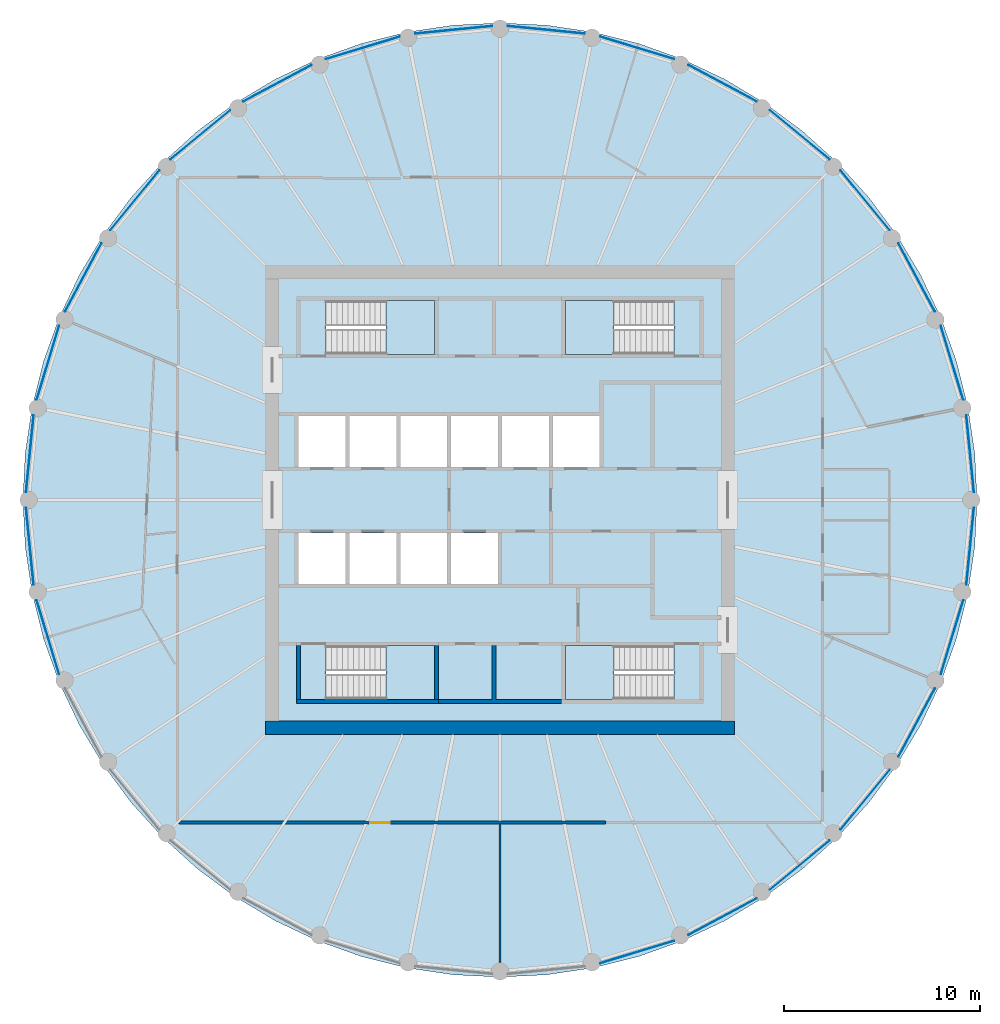
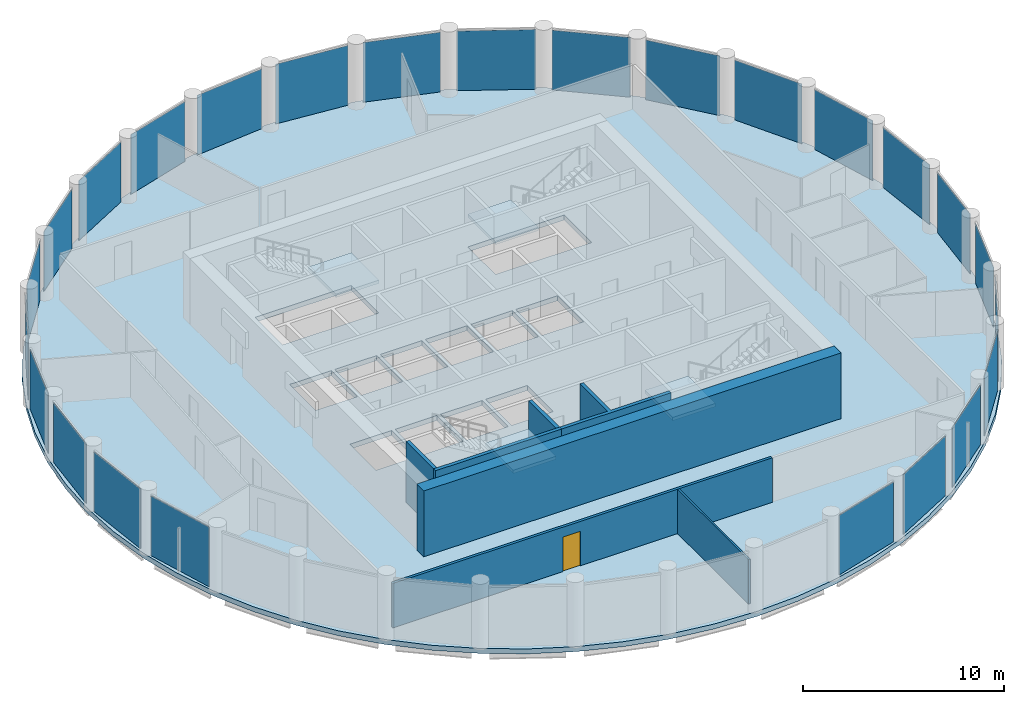
# One storey, part 3 of 7: 25 plates, 7 walls, 5 slabs, 1 door, 1 opening, 29 elements without a shape of their own.
"""IFC4 building model written with IfcOpenShell, lengths in metres."""

from ifc_helpers import new_model, si_unit, direction, frame, frame_2d, origin, origin_2d, place, context, subcontext, project, spatial, polyline, rectangle, outline, extrude, material, layer, layer_set, type_object, element, fill, aggregate, save


model = new_model("IFC4")

# Units and contexts
model_context = context("Model", 3, precision=1e-05, world=origin(), true_north=direction((0.0, 1.0)))
body_context = subcontext(model_context, "Body", "Model", "MODEL_VIEW")
ifc_project = project(units=[si_unit("LENGTHUNIT", "METRE"), si_unit("AREAUNIT", "SQUARE_METRE"), si_unit("VOLUMEUNIT", "CUBIC_METRE"), si_unit("PLANEANGLEUNIT", "RADIAN"), si_unit("MASSUNIT", "GRAM", prefix="KILO")], contexts=[model_context])

# Site, building, storey
site_placement = place(None, origin())
site = spatial("IfcSite", under=ifc_project, at=site_placement, CompositionType="ELEMENT")
building_placement = place(site_placement, origin())
building = spatial("IfcBuilding", under=site, at=building_placement, Name="Corvane Civic Tower", CompositionType="ELEMENT")
storey_placement = place(building_placement, frame((0.0, 0.0, 307.0)))
storey = spatial("IfcBuildingStorey", under=building, at=storey_placement, Name="L73", CompositionType="ELEMENT", Elevation=307.0)

# Slab
ifc_material_1 = material(Name="Concrete C40/50", Category="concrete")
ifc_layer_1 = layer(ifc_material_1, 0.300048828125)
ifc_layer_set_1 = layer_set([ifc_layer_1], Name="Concrete C40/50")
slab_type_1 = type_object("IfcSlabType", Name="FLOOR SLAB 300", PredefinedType="FLOOR", material=ifc_layer_set_1)
slab_1_placement = place(storey_placement, frame((0.0, 0.0, -0.300048828125)))
element("IfcSlab", 1, at=slab_1_placement, inside=storey, type_object=slab_type_1, Name="SLB-L73", PredefinedType="FLOOR", context=body_context, shape_type="SweptSolid", body=[
    extrude(outline(polyline([(0.0, 24.39990234375), (-2.3916015625, 24.282470703125), (-4.76025390625, 23.93115234375), (-7.0830078125, 23.349365234375), (-9.33740234375, 22.542724609375), (-11.502197265625, 21.518798828125), (-13.555908203125, 20.287841796875), (-15.479248046875, 18.861572265625), (-17.25341796875, 17.25341796875), (-18.861572265625, 15.479248046875), (-20.287841796875, 13.555908203125), (-21.518798828125, 11.502197265625), (-22.542724609375, 9.33740234375), (-23.349365234375, 7.0830078125), (-23.93115234375, 4.76025390625), (-24.282470703125, 2.3916015625), (-24.39990234375, 0.0), (-24.282470703125, -2.3916015625), (-23.93115234375, -4.76025390625), (-23.349365234375, -7.0830078125), (-22.542724609375, -9.33740234375), (-21.518798828125, -11.502197265625), (-20.287841796875, -13.555908203125), (-18.861572265625, -15.479248046875), (-17.25341796875, -17.25341796875), (-15.479248046875, -18.861572265625), (-13.555908203125, -20.287841796875), (-11.502197265625, -21.518798828125), (-9.33740234375, -22.542724609375), (-7.0830078125, -23.349365234375), (-4.76025390625, -23.93115234375), (-2.3916015625, -24.282470703125), (0.0, -24.39990234375), (2.3916015625, -24.282470703125), (4.76025390625, -23.93115234375), (7.0830078125, -23.349365234375), (9.33740234375, -22.542724609375), (11.502197265625, -21.518798828125), (13.555908203125, -20.287841796875), (15.479248046875, -18.861572265625), (17.25341796875, -17.25341796875), (18.861572265625, -15.479248046875), (20.287841796875, -13.555908203125), (21.518798828125, -11.502197265625), (22.542724609375, -9.33740234375), (23.349365234375, -7.0830078125), (23.93115234375, -4.76025390625), (24.282470703125, -2.3916015625), (24.39990234375, 0.0), (24.282470703125, 2.3916015625), (23.93115234375, 4.76025390625), (23.349365234375, 7.0830078125), (22.542724609375, 9.33740234375), (21.518798828125, 11.502197265625), (20.287841796875, 13.555908203125), (18.861572265625, 15.479248046875), (17.25341796875, 17.25341796875), (15.479248046875, 18.861572265625), (13.555908203125, 20.287841796875), (11.502197265625, 21.518798828125), (9.33740234375, 22.542724609375), (7.0830078125, 23.349365234375), (4.76025390625, 23.93115234375), (2.3916015625, 24.282470703125), (0.0, 24.39990234375)]), holes=[polyline([(-7.89990234375, 1.699951171875), (-10.300048828125, 1.699951171875), (-10.300048828125, 4.300048828125), (-7.89990234375, 4.300048828125), (-7.89990234375, 1.699951171875)]), polyline([(-5.300048828125, 1.699951171875), (-7.699951171875, 1.699951171875), (-7.699951171875, 4.300048828125), (-5.300048828125, 4.300048828125), (-5.300048828125, 1.699951171875)]), polyline([(-2.699951171875, 4.300048828125), (-2.699951171875, 1.699951171875), (-5.10009765625, 1.699951171875), (-5.10009765625, 4.300048828125), (-2.699951171875, 4.300048828125)]), polyline([(-0.10009765625, 4.300048828125), (-0.10009765625, 1.699951171875), (-2.5, 1.699951171875), (-2.5, 4.300048828125), (-0.10009765625, 4.300048828125)]), polyline([(2.5, 4.300048828125), (2.5, 1.699951171875), (0.10009765625, 1.699951171875), (0.10009765625, 4.300048828125), (2.5, 4.300048828125)]), polyline([(5.10009765625, 4.300048828125), (5.10009765625, 1.699951171875), (2.699951171875, 1.699951171875), (2.699951171875, 4.300048828125), (5.10009765625, 4.300048828125)]), polyline([(-10.300048828125, -4.300048828125), (-10.300048828125, -1.699951171875), (-7.89990234375, -1.699951171875), (-7.89990234375, -4.300048828125), (-10.300048828125, -4.300048828125)]), polyline([(-7.699951171875, -4.300048828125), (-7.699951171875, -1.699951171875), (-5.300048828125, -1.699951171875), (-5.300048828125, -4.300048828125), (-7.699951171875, -4.300048828125)]), polyline([(-2.699951171875, -1.699951171875), (-2.699951171875, -4.300048828125), (-5.10009765625, -4.300048828125), (-5.10009765625, -1.699951171875), (-2.699951171875, -1.699951171875)]), polyline([(-2.5, -4.300048828125), (-2.5, -1.699951171875), (-0.10009765625, -1.699951171875), (-0.10009765625, -4.300048828125), (-2.5, -4.300048828125)]), polyline([(8.889892578125, 10.199951171875), (8.889892578125, 7.449951171875), (3.35009765625, 7.449951171875), (3.35009765625, 10.199951171875), (8.889892578125, 10.199951171875)]), polyline([(-8.889892578125, 7.449951171875), (-8.889892578125, 10.199951171875), (-3.35009765625, 10.199951171875), (-3.35009765625, 7.449951171875), (-8.889892578125, 7.449951171875)]), polyline([(8.889892578125, -7.449951171875), (8.889892578125, -10.199951171875), (3.35009765625, -10.199951171875), (3.35009765625, -7.449951171875), (8.889892578125, -7.449951171875)]), polyline([(-8.889892578125, -10.199951171875), (-8.889892578125, -7.449951171875), (-3.35009765625, -7.449951171875), (-3.35009765625, -10.199951171875), (-8.889892578125, -10.199951171875)])]), origin(), (0.0, 0.0, 1.0), 0.300048828125),
])

# Stair, slab
ifc_material_2 = material(Name="Concrete C40/50", Category="concrete")
stair_type = type_object("IfcStairType", Name="ST-STAIR-HALFTURN", PredefinedType="HALF_TURN_STAIR", material=ifc_material_2)
stair_1_placement = place(storey_placement, origin())
stair_1 = element("IfcStair", 2, at=stair_1_placement, inside=storey, type_object=stair_type, Name="L73 Exit stair ST1", PredefinedType="HALF_TURN_STAIR")
ifc_material_3 = material(Name="Concrete C40/50", Category="concrete")
ifc_layer_2 = layer(ifc_material_3, 0.199951171875)
ifc_layer_set_2 = layer_set([ifc_layer_2], Name="Concrete C40/50")
slab_type_2 = type_object("IfcSlabType", Name="ST-LANDING-RC", PredefinedType="LANDING", material=ifc_layer_set_2)
slab_2_placement = place(storey_placement, frame((0.0, 0.0, 1.800048828125)))
slab_2 = element("IfcSlab", 3, at=slab_2_placement, type_object=slab_type_2, Name="ST1 landing 1", PredefinedType="LANDING", context=body_context, shape_type="SweptSolid", body=[
    extrude(outline(polyline([(5.820068359375, 10.199951171875), (3.35009765625, 10.199951171875), (3.35009765625, 7.449951171875), (5.820068359375, 7.449951171875), (5.820068359375, 10.199951171875)])), origin(), (0.0, 0.0, 1.0), 0.199951171875),
])
aggregate(stair_1, [slab_2])

stair_2_placement = place(storey_placement, origin())
stair_2 = element("IfcStair", 4, at=stair_2_placement, inside=storey, type_object=stair_type, Name="L73 Exit stair ST2", PredefinedType="HALF_TURN_STAIR")
slab_3_placement = place(storey_placement, frame((0.0, 0.0, 1.800048828125)))
slab_3 = element("IfcSlab", 5, at=slab_3_placement, type_object=slab_type_2, Name="ST2 landing 1", PredefinedType="LANDING", context=body_context, shape_type="SweptSolid", body=[
    extrude(outline(polyline([(5.820068359375, -7.449951171875), (3.35009765625, -7.449951171875), (3.35009765625, -10.199951171875), (5.820068359375, -10.199951171875), (5.820068359375, -7.449951171875)])), origin(), (0.0, 0.0, 1.0), 0.199951171875),
])
aggregate(stair_2, [slab_3])

stair_3_placement = place(storey_placement, origin())
stair_3 = element("IfcStair", 6, at=stair_3_placement, inside=storey, type_object=stair_type, Name="L73 Exit stair ST3", PredefinedType="HALF_TURN_STAIR")
slab_4_placement = place(storey_placement, frame((0.0, 0.0, 1.800048828125)))
slab_4 = element("IfcSlab", 7, at=slab_4_placement, type_object=slab_type_2, Name="ST3 landing 1", PredefinedType="LANDING", context=body_context, shape_type="SweptSolid", body=[
    extrude(outline(polyline([(-5.820068359375, -10.199951171875), (-3.35009765625, -10.199951171875), (-3.35009765625, -7.449951171875), (-5.820068359375, -7.449951171875), (-5.820068359375, -10.199951171875)])), origin(), (0.0, 0.0, 1.0), 0.199951171875),
])
aggregate(stair_3, [slab_4])

stair_4_placement = place(storey_placement, origin())
stair_4 = element("IfcStair", 8, at=stair_4_placement, inside=storey, type_object=stair_type, Name="L73 Exit stair ST4", PredefinedType="HALF_TURN_STAIR")
slab_5_placement = place(storey_placement, frame((0.0, 0.0, 1.800048828125)))
slab_5 = element("IfcSlab", 9, at=slab_5_placement, type_object=slab_type_2, Name="ST4 landing 1", PredefinedType="LANDING", context=body_context, shape_type="SweptSolid", body=[
    extrude(outline(polyline([(-5.820068359375, 7.449951171875), (-3.35009765625, 7.449951171875), (-3.35009765625, 10.199951171875), (-5.820068359375, 10.199951171875), (-5.820068359375, 7.449951171875)])), origin(), (0.0, 0.0, 1.0), 0.199951171875),
])
aggregate(stair_4, [slab_5])

# Curtain wall, plate
ifc_material_4 = material(Name="Anodised aluminium bronze", Category="aluminium")
curtain_wall_type = type_object("IfcCurtainWallType", Name="TOWER CW-T3 STICK CURTAIN WALL", PredefinedType="NOTDEFINED", material=ifc_material_4)
curtain_wall_1_placement = place(storey_placement, origin())
curtain_wall_1 = element("IfcCurtainWall", 10, at=curtain_wall_1_placement, inside=storey, type_object=curtain_wall_type, Name="Curtain wall CW-T3 L73 bay 01", PredefinedType="NOTDEFINED")
ifc_material_5 = material(Name="Tinted glass", Category="glass")
ifc_layer_3 = layer(ifc_material_5, 0.028076171875)
ifc_layer_set_3 = layer_set([ifc_layer_3], Name="Tinted glass")
plate_type = type_object("IfcPlateType", Name="TOWER CW-T3 PANEL IGU28", PredefinedType="CURTAIN_PANEL", material=ifc_layer_set_3)
plate_1_placement = place(storey_placement, frame((2.368408203125, 24.046875, 0.0), z_axis=(0.0, 0.0, 1.0), x_axis=(0.99518437747, -0.098020685775, 0.0)))
plate_1 = element("IfcPlate", 11, at=plate_1_placement, type_object=plate_type, Name="Glass panel CW-T3 L73 01.1", PredefinedType="CURTAIN_PANEL", context=body_context, shape_type="SweptSolid", body=[
    extrude(rectangle(XDim=3.958740234375, YDim=0.028076171875, at=origin_2d()), origin(), (0.0, 0.0, 1.0), 3.6298828125),
])
aggregate(curtain_wall_1, [plate_1])

curtain_wall_2_placement = place(storey_placement, origin())
curtain_wall_2 = element("IfcCurtainWall", 12, at=curtain_wall_2_placement, inside=storey, type_object=curtain_wall_type, Name="Curtain wall CW-T3 L73 bay 02", PredefinedType="NOTDEFINED")
plate_2_placement = place(storey_placement, frame((7.01416015625, 23.12255859375, 0.0), z_axis=(0.0, 0.0, 1.0), x_axis=(0.956943694519, -0.290273604586, 0.0)))
plate_2 = element("IfcPlate", 13, at=plate_2_placement, type_object=plate_type, Name="Glass panel CW-T3 L73 02.1", PredefinedType="CURTAIN_PANEL", context=body_context, shape_type="SweptSolid", body=[
    extrude(rectangle(XDim=3.958984375, YDim=0.028076171875, at=origin_2d()), origin(), (0.0, 0.0, 1.0), 3.6298828125),
])
aggregate(curtain_wall_2, [plate_2])

curtain_wall_3_placement = place(storey_placement, origin())
curtain_wall_3 = element("IfcCurtainWall", 14, at=curtain_wall_3_placement, inside=storey, type_object=curtain_wall_type, Name="Curtain wall CW-T3 L73 bay 03", PredefinedType="NOTDEFINED")
plate_3_placement = place(storey_placement, frame((11.390380859375, 21.31005859375, 0.0), z_axis=(0.0, 0.0, 1.0), x_axis=(0.881908138655, -0.471421292448, 0.0)))
plate_3 = element("IfcPlate", 15, at=plate_3_placement, type_object=plate_type, Name="Glass panel CW-T3 L73 03.1", PredefinedType="CURTAIN_PANEL", context=body_context, shape_type="SweptSolid", body=[
    extrude(rectangle(XDim=3.958740234375, YDim=0.028076171875, at=origin_2d()), origin(), (0.0, 0.0, 1.0), 3.6298828125),
])
aggregate(curtain_wall_3, [plate_3])

curtain_wall_4_placement = place(storey_placement, origin())
curtain_wall_4 = element("IfcCurtainWall", 16, at=curtain_wall_4_placement, inside=storey, type_object=curtain_wall_type, Name="Curtain wall CW-T3 L73 bay 04", PredefinedType="NOTDEFINED")
plate_4_placement = place(storey_placement, frame((15.328857421875, 18.67822265625, 0.0), z_axis=(0.0, 0.0, 1.0), x_axis=(0.773001130565, -0.634404643855, 0.0)))
plate_4 = element("IfcPlate", 17, at=plate_4_placement, type_object=plate_type, Name="Glass panel CW-T3 L73 04.1", PredefinedType="CURTAIN_PANEL", context=body_context, shape_type="SweptSolid", body=[
    extrude(rectangle(XDim=3.958740234375, YDim=0.028076171875, at=origin_2d()), origin(), (0.0, 0.0, 1.0), 3.6298828125),
])
aggregate(curtain_wall_4, [plate_4])

curtain_wall_5_placement = place(storey_placement, origin())
curtain_wall_5 = element("IfcCurtainWall", 18, at=curtain_wall_5_placement, inside=storey, type_object=curtain_wall_type, Name="Curtain wall CW-T3 L73 bay 05", PredefinedType="NOTDEFINED")
plate_5_placement = place(storey_placement, frame((18.67822265625, 15.328857421875, 0.0), z_axis=(0.0, 0.0, 1.0), x_axis=(0.634404643855, -0.773001130565, 0.0)))
plate_5 = element("IfcPlate", 19, at=plate_5_placement, type_object=plate_type, Name="Glass panel CW-T3 L73 05.1", PredefinedType="CURTAIN_PANEL", context=body_context, shape_type="SweptSolid", body=[
    extrude(rectangle(XDim=3.958740234375, YDim=0.028076171875, at=origin_2d()), origin(), (0.0, 0.0, 1.0), 3.6298828125),
])
aggregate(curtain_wall_5, [plate_5])

curtain_wall_6_placement = place(storey_placement, origin())
curtain_wall_6 = element("IfcCurtainWall", 20, at=curtain_wall_6_placement, inside=storey, type_object=curtain_wall_type, Name="Curtain wall CW-T3 L73 bay 06", PredefinedType="NOTDEFINED")
plate_6_placement = place(storey_placement, frame((21.31005859375, 11.390380859375, 0.0), z_axis=(0.0, 0.0, 1.0), x_axis=(0.471421292448, -0.881908138655, 0.0)))
plate_6 = element("IfcPlate", 21, at=plate_6_placement, type_object=plate_type, Name="Glass panel CW-T3 L73 06.1", PredefinedType="CURTAIN_PANEL", context=body_context, shape_type="SweptSolid", body=[
    extrude(rectangle(XDim=3.958740234375, YDim=0.028076171875, at=origin_2d()), origin(), (0.0, 0.0, 1.0), 3.6298828125),
])
aggregate(curtain_wall_6, [plate_6])

curtain_wall_7_placement = place(storey_placement, origin())
curtain_wall_7 = element("IfcCurtainWall", 22, at=curtain_wall_7_placement, inside=storey, type_object=curtain_wall_type, Name="Curtain wall CW-T3 L73 bay 07", PredefinedType="NOTDEFINED")
plate_7_placement = place(storey_placement, frame((23.12255859375, 7.01416015625, 0.0), z_axis=(0.0, 0.0, 1.0), x_axis=(0.290273604586, -0.956943694519, 0.0)))
plate_7 = element("IfcPlate", 23, at=plate_7_placement, type_object=plate_type, Name="Glass panel CW-T3 L73 07.1", PredefinedType="CURTAIN_PANEL", context=body_context, shape_type="SweptSolid", body=[
    extrude(rectangle(XDim=3.958984375, YDim=0.028076171875, at=origin_2d()), origin(), (0.0, 0.0, 1.0), 3.6298828125),
])
aggregate(curtain_wall_7, [plate_7])

curtain_wall_8_placement = place(storey_placement, origin())
curtain_wall_8 = element("IfcCurtainWall", 24, at=curtain_wall_8_placement, inside=storey, type_object=curtain_wall_type, Name="Curtain wall CW-T3 L73 bay 08", PredefinedType="NOTDEFINED")
plate_8_placement = place(storey_placement, frame((24.046875, 2.368408203125, 0.0), z_axis=(0.0, 0.0, 1.0), x_axis=(0.098020685775, -0.99518437747, 0.0)))
plate_8 = element("IfcPlate", 25, at=plate_8_placement, type_object=plate_type, Name="Glass panel CW-T3 L73 08.1", PredefinedType="CURTAIN_PANEL", context=body_context, shape_type="SweptSolid", body=[
    extrude(rectangle(XDim=3.958740234375, YDim=0.028076171875, at=origin_2d()), origin(), (0.0, 0.0, 1.0), 3.6298828125),
])
aggregate(curtain_wall_8, [plate_8])

curtain_wall_9_placement = place(storey_placement, origin())
curtain_wall_9 = element("IfcCurtainWall", 26, at=curtain_wall_9_placement, inside=storey, type_object=curtain_wall_type, Name="Curtain wall CW-T3 L73 bay 09", PredefinedType="NOTDEFINED")
plate_9_placement = place(storey_placement, frame((24.046875, -2.368408203125, 0.0), z_axis=(0.0, 0.0, 1.0), x_axis=(-0.098020685775, -0.99518437747, 0.0)))
plate_9 = element("IfcPlate", 27, at=plate_9_placement, type_object=plate_type, Name="Glass panel CW-T3 L73 09.1", PredefinedType="CURTAIN_PANEL", context=body_context, shape_type="SweptSolid", body=[
    extrude(rectangle(XDim=3.958740234375, YDim=0.028076171875, at=origin_2d()), origin(), (0.0, 0.0, 1.0), 3.6298828125),
])
aggregate(curtain_wall_9, [plate_9])

curtain_wall_10_placement = place(storey_placement, origin())
curtain_wall_10 = element("IfcCurtainWall", 28, at=curtain_wall_10_placement, inside=storey, type_object=curtain_wall_type, Name="Curtain wall CW-T3 L73 bay 10", PredefinedType="NOTDEFINED")
plate_10_placement = place(storey_placement, frame((23.12255859375, -7.01416015625, 0.0), z_axis=(0.0, 0.0, 1.0), x_axis=(-0.290273604586, -0.956943694519, 0.0)))
plate_10 = element("IfcPlate", 29, at=plate_10_placement, type_object=plate_type, Name="Glass panel CW-T3 L73 10.1", PredefinedType="CURTAIN_PANEL", context=body_context, shape_type="SweptSolid", body=[
    extrude(rectangle(XDim=3.958984375, YDim=0.028076171875, at=origin_2d()), origin(), (0.0, 0.0, 1.0), 3.6298828125),
])
aggregate(curtain_wall_10, [plate_10])

curtain_wall_11_placement = place(storey_placement, origin())
curtain_wall_11 = element("IfcCurtainWall", 30, at=curtain_wall_11_placement, inside=storey, type_object=curtain_wall_type, Name="Curtain wall CW-T3 L73 bay 11", PredefinedType="NOTDEFINED")
plate_11_placement = place(storey_placement, frame((21.31005859375, -11.390380859375, 0.0), z_axis=(0.0, 0.0, 1.0), x_axis=(-0.471421292448, -0.881908138655, 0.0)))
plate_11 = element("IfcPlate", 31, at=plate_11_placement, type_object=plate_type, Name="Glass panel CW-T3 L73 11.1", PredefinedType="CURTAIN_PANEL", context=body_context, shape_type="SweptSolid", body=[
    extrude(rectangle(XDim=3.958740234375, YDim=0.028076171875, at=origin_2d()), origin(), (0.0, 0.0, 1.0), 3.6298828125),
])
aggregate(curtain_wall_11, [plate_11])

curtain_wall_12_placement = place(storey_placement, origin())
curtain_wall_12 = element("IfcCurtainWall", 32, at=curtain_wall_12_placement, inside=storey, type_object=curtain_wall_type, Name="Curtain wall CW-T3 L73 bay 12", PredefinedType="NOTDEFINED")
plate_12_placement = place(storey_placement, frame((18.67822265625, -15.328857421875, 0.0), z_axis=(0.0, 0.0, 1.0), x_axis=(-0.634404643855, -0.773001130565, 0.0)))
plate_12 = element("IfcPlate", 33, at=plate_12_placement, type_object=plate_type, Name="Glass panel CW-T3 L73 12.1", PredefinedType="CURTAIN_PANEL", context=body_context, shape_type="SweptSolid", body=[
    extrude(rectangle(XDim=3.958740234375, YDim=0.028076171875, at=origin_2d()), origin(), (0.0, 0.0, 1.0), 3.6298828125),
])
aggregate(curtain_wall_12, [plate_12])

curtain_wall_13_placement = place(storey_placement, origin())
curtain_wall_13 = element("IfcCurtainWall", 34, at=curtain_wall_13_placement, inside=storey, type_object=curtain_wall_type, Name="Curtain wall CW-T3 L73 bay 13", PredefinedType="NOTDEFINED")
plate_13_placement = place(storey_placement, frame((15.328857421875, -18.67822265625, 0.0), z_axis=(0.0, 0.0, 1.0), x_axis=(-0.773001130565, -0.634404643855, 0.0)))
plate_13 = element("IfcPlate", 35, at=plate_13_placement, type_object=plate_type, Name="Glass panel CW-T3 L73 13.1", PredefinedType="CURTAIN_PANEL", context=body_context, shape_type="SweptSolid", body=[
    extrude(rectangle(XDim=3.958740234375, YDim=0.028076171875, at=origin_2d()), origin(), (0.0, 0.0, 1.0), 3.6298828125),
])
aggregate(curtain_wall_13, [plate_13])

curtain_wall_14_placement = place(storey_placement, origin())
curtain_wall_14 = element("IfcCurtainWall", 36, at=curtain_wall_14_placement, inside=storey, type_object=curtain_wall_type, Name="Curtain wall CW-T3 L73 bay 14", PredefinedType="NOTDEFINED")
plate_14_placement = place(storey_placement, frame((11.390380859375, -21.31005859375, 0.0), z_axis=(0.0, 0.0, 1.0), x_axis=(-0.881908138655, -0.471421292448, 0.0)))
plate_14 = element("IfcPlate", 37, at=plate_14_placement, type_object=plate_type, Name="Glass panel CW-T3 L73 14.1", PredefinedType="CURTAIN_PANEL", context=body_context, shape_type="SweptSolid", body=[
    extrude(rectangle(XDim=3.958740234375, YDim=0.028076171875, at=origin_2d()), origin(), (0.0, 0.0, 1.0), 3.6298828125),
])
aggregate(curtain_wall_14, [plate_14])

curtain_wall_15_placement = place(storey_placement, origin())
curtain_wall_15 = element("IfcCurtainWall", 38, at=curtain_wall_15_placement, inside=storey, type_object=curtain_wall_type, Name="Curtain wall CW-T3 L73 bay 15", PredefinedType="NOTDEFINED")
plate_15_placement = place(storey_placement, frame((7.01416015625, -23.12255859375, 0.0), z_axis=(0.0, 0.0, 1.0), x_axis=(-0.956943694519, -0.290273604586, 0.0)))
plate_15 = element("IfcPlate", 39, at=plate_15_placement, type_object=plate_type, Name="Glass panel CW-T3 L73 15.1", PredefinedType="CURTAIN_PANEL", context=body_context, shape_type="SweptSolid", body=[
    extrude(rectangle(XDim=3.958984375, YDim=0.028076171875, at=origin_2d()), origin(), (0.0, 0.0, 1.0), 3.6298828125),
])
aggregate(curtain_wall_15, [plate_15])

curtain_wall_16_placement = place(storey_placement, origin())
curtain_wall_16 = element("IfcCurtainWall", 40, at=curtain_wall_16_placement, inside=storey, type_object=curtain_wall_type, Name="Curtain wall CW-T3 L73 bay 23", PredefinedType="NOTDEFINED")
plate_16_placement = place(storey_placement, frame((-23.12255859375, -7.01416015625, 0.0), z_axis=(0.0, 0.0, 1.0), x_axis=(-0.290273604586, 0.956943694519, 0.0)))
plate_16 = element("IfcPlate", 41, at=plate_16_placement, type_object=plate_type, Name="Glass panel CW-T3 L73 23.1", PredefinedType="CURTAIN_PANEL", context=body_context, shape_type="SweptSolid", body=[
    extrude(rectangle(XDim=3.958984375, YDim=0.028076171875, at=origin_2d()), origin(), (0.0, 0.0, 1.0), 3.6298828125),
])
aggregate(curtain_wall_16, [plate_16])

curtain_wall_17_placement = place(storey_placement, origin())
curtain_wall_17 = element("IfcCurtainWall", 42, at=curtain_wall_17_placement, inside=storey, type_object=curtain_wall_type, Name="Curtain wall CW-T3 L73 bay 24", PredefinedType="NOTDEFINED")
plate_17_placement = place(storey_placement, frame((-24.046875, -2.368408203125, 0.0), z_axis=(0.0, 0.0, 1.0), x_axis=(-0.098020685775, 0.99518437747, 0.0)))
plate_17 = element("IfcPlate", 43, at=plate_17_placement, type_object=plate_type, Name="Glass panel CW-T3 L73 24.1", PredefinedType="CURTAIN_PANEL", context=body_context, shape_type="SweptSolid", body=[
    extrude(rectangle(XDim=3.958740234375, YDim=0.028076171875, at=origin_2d()), origin(), (0.0, 0.0, 1.0), 3.6298828125),
])
aggregate(curtain_wall_17, [plate_17])

curtain_wall_18_placement = place(storey_placement, origin())
curtain_wall_18 = element("IfcCurtainWall", 44, at=curtain_wall_18_placement, inside=storey, type_object=curtain_wall_type, Name="Curtain wall CW-T3 L73 bay 25", PredefinedType="NOTDEFINED")
plate_18_placement = place(storey_placement, frame((-24.046875, 2.368408203125, 0.0), z_axis=(0.0, 0.0, 1.0), x_axis=(0.098020685775, 0.99518437747, 0.0)))
plate_18 = element("IfcPlate", 45, at=plate_18_placement, type_object=plate_type, Name="Glass panel CW-T3 L73 25.1", PredefinedType="CURTAIN_PANEL", context=body_context, shape_type="SweptSolid", body=[
    extrude(rectangle(XDim=3.958740234375, YDim=0.028076171875, at=origin_2d()), origin(), (0.0, 0.0, 1.0), 3.6298828125),
])
aggregate(curtain_wall_18, [plate_18])

curtain_wall_19_placement = place(storey_placement, origin())
curtain_wall_19 = element("IfcCurtainWall", 46, at=curtain_wall_19_placement, inside=storey, type_object=curtain_wall_type, Name="Curtain wall CW-T3 L73 bay 26", PredefinedType="NOTDEFINED")
plate_19_placement = place(storey_placement, frame((-23.12255859375, 7.01416015625, 0.0), z_axis=(0.0, 0.0, 1.0), x_axis=(0.290273604586, 0.956943694519, 0.0)))
plate_19 = element("IfcPlate", 47, at=plate_19_placement, type_object=plate_type, Name="Glass panel CW-T3 L73 26.1", PredefinedType="CURTAIN_PANEL", context=body_context, shape_type="SweptSolid", body=[
    extrude(rectangle(XDim=3.958984375, YDim=0.028076171875, at=origin_2d()), origin(), (0.0, 0.0, 1.0), 3.6298828125),
])
aggregate(curtain_wall_19, [plate_19])

curtain_wall_20_placement = place(storey_placement, origin())
curtain_wall_20 = element("IfcCurtainWall", 48, at=curtain_wall_20_placement, inside=storey, type_object=curtain_wall_type, Name="Curtain wall CW-T3 L73 bay 27", PredefinedType="NOTDEFINED")
plate_20_placement = place(storey_placement, frame((-21.31005859375, 11.390380859375, 0.0), z_axis=(0.0, 0.0, 1.0), x_axis=(0.471421292448, 0.881908138655, 0.0)))
plate_20 = element("IfcPlate", 49, at=plate_20_placement, type_object=plate_type, Name="Glass panel CW-T3 L73 27.1", PredefinedType="CURTAIN_PANEL", context=body_context, shape_type="SweptSolid", body=[
    extrude(rectangle(XDim=3.958740234375, YDim=0.028076171875, at=origin_2d()), origin(), (0.0, 0.0, 1.0), 3.6298828125),
])
aggregate(curtain_wall_20, [plate_20])

curtain_wall_21_placement = place(storey_placement, origin())
curtain_wall_21 = element("IfcCurtainWall", 50, at=curtain_wall_21_placement, inside=storey, type_object=curtain_wall_type, Name="Curtain wall CW-T3 L73 bay 28", PredefinedType="NOTDEFINED")
plate_21_placement = place(storey_placement, frame((-18.67822265625, 15.328857421875, 0.0), z_axis=(0.0, 0.0, 1.0), x_axis=(0.634404643855, 0.773001130565, 0.0)))
plate_21 = element("IfcPlate", 51, at=plate_21_placement, type_object=plate_type, Name="Glass panel CW-T3 L73 28.1", PredefinedType="CURTAIN_PANEL", context=body_context, shape_type="SweptSolid", body=[
    extrude(rectangle(XDim=3.958740234375, YDim=0.028076171875, at=origin_2d()), origin(), (0.0, 0.0, 1.0), 3.6298828125),
])
aggregate(curtain_wall_21, [plate_21])

curtain_wall_22_placement = place(storey_placement, origin())
curtain_wall_22 = element("IfcCurtainWall", 52, at=curtain_wall_22_placement, inside=storey, type_object=curtain_wall_type, Name="Curtain wall CW-T3 L73 bay 29", PredefinedType="NOTDEFINED")
plate_22_placement = place(storey_placement, frame((-15.328857421875, 18.67822265625, 0.0), z_axis=(0.0, 0.0, 1.0), x_axis=(0.773001130565, 0.634404643855, 0.0)))
plate_22 = element("IfcPlate", 53, at=plate_22_placement, type_object=plate_type, Name="Glass panel CW-T3 L73 29.1", PredefinedType="CURTAIN_PANEL", context=body_context, shape_type="SweptSolid", body=[
    extrude(rectangle(XDim=3.958740234375, YDim=0.028076171875, at=origin_2d()), origin(), (0.0, 0.0, 1.0), 3.6298828125),
])
aggregate(curtain_wall_22, [plate_22])

curtain_wall_23_placement = place(storey_placement, origin())
curtain_wall_23 = element("IfcCurtainWall", 54, at=curtain_wall_23_placement, inside=storey, type_object=curtain_wall_type, Name="Curtain wall CW-T3 L73 bay 30", PredefinedType="NOTDEFINED")
plate_23_placement = place(storey_placement, frame((-11.390380859375, 21.31005859375, 0.0), z_axis=(0.0, 0.0, 1.0), x_axis=(0.881908138655, 0.471421292448, 0.0)))
plate_23 = element("IfcPlate", 55, at=plate_23_placement, type_object=plate_type, Name="Glass panel CW-T3 L73 30.1", PredefinedType="CURTAIN_PANEL", context=body_context, shape_type="SweptSolid", body=[
    extrude(rectangle(XDim=3.958740234375, YDim=0.028076171875, at=origin_2d()), origin(), (0.0, 0.0, 1.0), 3.6298828125),
])
aggregate(curtain_wall_23, [plate_23])

curtain_wall_24_placement = place(storey_placement, origin())
curtain_wall_24 = element("IfcCurtainWall", 56, at=curtain_wall_24_placement, inside=storey, type_object=curtain_wall_type, Name="Curtain wall CW-T3 L73 bay 31", PredefinedType="NOTDEFINED")
plate_24_placement = place(storey_placement, frame((-7.01416015625, 23.12255859375, 0.0), z_axis=(0.0, 0.0, 1.0), x_axis=(0.956943694519, 0.290273604586, 0.0)))
plate_24 = element("IfcPlate", 57, at=plate_24_placement, type_object=plate_type, Name="Glass panel CW-T3 L73 31.1", PredefinedType="CURTAIN_PANEL", context=body_context, shape_type="SweptSolid", body=[
    extrude(rectangle(XDim=3.958984375, YDim=0.028076171875, at=origin_2d()), origin(), (0.0, 0.0, 1.0), 3.6298828125),
])
aggregate(curtain_wall_24, [plate_24])

curtain_wall_25_placement = place(storey_placement, origin())
curtain_wall_25 = element("IfcCurtainWall", 58, at=curtain_wall_25_placement, inside=storey, type_object=curtain_wall_type, Name="Curtain wall CW-T3 L73 bay 32", PredefinedType="NOTDEFINED")
plate_25_placement = place(storey_placement, frame((-2.368408203125, 24.046875, 0.0), z_axis=(0.0, 0.0, 1.0), x_axis=(0.99518437747, 0.098020685775, 0.0)))
plate_25 = element("IfcPlate", 59, at=plate_25_placement, type_object=plate_type, Name="Glass panel CW-T3 L73 32.1", PredefinedType="CURTAIN_PANEL", context=body_context, shape_type="SweptSolid", body=[
    extrude(rectangle(XDim=3.958740234375, YDim=0.028076171875, at=origin_2d()), origin(), (0.0, 0.0, 1.0), 3.6298828125),
])
aggregate(curtain_wall_25, [plate_25])

# Walls
ifc_material_6 = material(Name="Concrete C40/50", Category="concrete")
ifc_layer_4 = layer(ifc_material_6, 0.699951171875)
ifc_layer_set_4 = layer_set([ifc_layer_4], Name="Concrete C40/50")
wall_type_1 = type_object("IfcWallType", Name="CORE WALL 700 C40/50", PredefinedType="SHEAR", material=ifc_layer_set_4)
wall_1_placement = place(storey_placement, frame((-12.0, -11.64990234375, 0.0), z_axis=(0.0, 0.0, 1.0), x_axis=(1.0, 0.0, 0.0)))
element("IfcWall", 60, at=wall_1_placement, inside=storey, type_object=wall_type_1, Name="W-L73-core-S", PredefinedType="SHEAR", context=body_context, shape_type="SweptSolid", body=[
    extrude(rectangle(XDim=24.0, YDim=0.699951171875, at=frame_2d((12.0, 0.0))), origin(), (0.0, 0.0, 1.0), 4.0),
])
ifc_material_7 = material(Name="Concrete C30/37", Category="concrete")
ifc_layer_5 = layer(ifc_material_7, 0.199951171875)
ifc_layer_set_5 = layer_set([ifc_layer_5], Name="Concrete C30/37")
wall_type_2 = type_object("IfcWallType", Name="CR-WALL-200", PredefinedType="PARTITIONING", material=ifc_layer_set_5)
wall_2_placement = place(storey_placement, origin())
element("IfcWall", 61, at=wall_2_placement, inside=storey, type_object=wall_type_2, Name="L73 core partition wall", PredefinedType="PARTITIONING", context=body_context, shape_type="SweptSolid", body=[
    extrude(outline(polyline([(-0.199951171875, -7.449951171875), (-0.199951171875, -10.199951171875), (3.14990234375, -10.199951171875), (3.14990234375, -10.39990234375), (-3.14990234375, -10.39990234375), (-3.14990234375, -10.199951171875), (-0.39990234375, -10.199951171875), (-0.39990234375, -7.449951171875), (-0.199951171875, -7.449951171875)])), origin(), (0.0, 0.0, 1.0), 3.699951171875),
])
ifc_material_8 = material(Name="Plasterboard")
ifc_layer_6 = layer(ifc_material_8, 0.10009765625)
ifc_layer_set_6 = layer_set([ifc_layer_6], Name="Plasterboard")
wall_type_3 = type_object("IfcWallType", Name="Partition 100 plasterboard on studs", PredefinedType="PARTITIONING", material=ifc_layer_set_6)
wall_3_placement = place(storey_placement, frame((0.0, -23.64013671875, 0.0), z_axis=(0.0, 0.0, 1.0), x_axis=(0.0, 1.0, 0.0)))
element("IfcWall", 62, at=wall_3_placement, inside=storey, type_object=wall_type_3, Name="Partition L73.001", PredefinedType="PARTITIONING", context=body_context, shape_type="SweptSolid", body=[
    extrude(rectangle(XDim=7.065185546875, YDim=0.10009765625, at=frame_2d((3.53271484375, 0.0))), origin(), (0.0, 0.0, 1.0), 2.699951171875),
])
ifc_material_9 = material(Name="Concrete C50/60", Category="concrete")
ifc_layer_7 = layer(ifc_material_9, 0.199951171875)
ifc_layer_set_7 = layer_set([ifc_layer_7], Name="Concrete C50/60")
wall_type_4 = type_object("IfcWallType", Name="ST-WALL-200", PredefinedType="SHEAR", material=ifc_layer_set_7)
wall_4_placement = place(storey_placement, origin())
element("IfcWall", 63, at=wall_4_placement, inside=storey, type_object=wall_type_4, Name="L73 stair enclosure wall", PredefinedType="SHEAR", context=body_context, shape_type="SweptSolid", body=[
    extrude(outline(polyline([(-3.14990234375, -10.199951171875), (-3.14990234375, -10.39990234375), (-10.39990234375, -10.39990234375), (-10.39990234375, -10.199951171875), (-3.14990234375, -10.199951171875)])), origin(), (0.0, 0.0, 1.0), 3.699951171875),
])
wall_5_placement = place(storey_placement, origin())
element("IfcWall", 64, at=wall_5_placement, inside=storey, type_object=wall_type_4, Name="L73 stair enclosure wall", PredefinedType="SHEAR", context=body_context, shape_type="SweptSolid", body=[
    extrude(outline(polyline([(-3.14990234375, -7.449951171875), (-3.14990234375, -10.199951171875), (-3.35009765625, -10.199951171875), (-3.35009765625, -7.449951171875), (-3.14990234375, -7.449951171875)])), origin(), (0.0, 0.0, 1.0), 3.699951171875),
])
wall_6_placement = place(storey_placement, origin())
element("IfcWall", 65, at=wall_6_placement, inside=storey, type_object=wall_type_4, Name="L73 stair enclosure wall", PredefinedType="SHEAR", context=body_context, shape_type="SweptSolid", body=[
    extrude(outline(polyline([(-10.199951171875, -7.449951171875), (-10.199951171875, -10.199951171875), (-10.39990234375, -10.199951171875), (-10.39990234375, -7.449951171875), (-10.199951171875, -7.449951171875)])), origin(), (0.0, 0.0, 1.0), 3.699951171875),
])

# Wall, opening, door
ifc_material_10 = material(Name="Plasterboard")
ifc_layer_8 = layer(ifc_material_10, 0.14990234375)
ifc_layer_set_8 = layer_set([ifc_layer_8], Name="Plasterboard")
wall_type_5 = type_object("IfcWallType", Name="Tenancy wall 150 EI 60", PredefinedType="PARTITIONING", material=ifc_layer_set_8)
wall_7_placement = place(storey_placement, frame((-16.425048828125, -16.5, 0.0), z_axis=(0.0, 0.0, 1.0), x_axis=(1.0, 0.0, 0.0)))
wall_7 = element("IfcWall", 66, at=wall_7_placement, inside=storey, type_object=wall_type_5, Name="Partition L73.003", PredefinedType="PARTITIONING", context=body_context, shape_type="SweptSolid", body=[
    extrude(rectangle(XDim=21.821044921875, YDim=0.14990234375, at=frame_2d((10.91064453125, 0.0))), origin(), (0.0, 0.0, 1.0), 2.699951171875),
])
opening_placement = place(wall_7_placement, frame((9.7822265625, 0.0, 0.0)))
opening = element("IfcOpeningElement", 67, at=opening_placement, cuts=wall_7, Name="Opening L73.003", PredefinedType="OPENING", context=body_context, shape_type="SweptSolid", body=[
    extrude(rectangle(XDim=1.0, YDim=2.10009765625, at=frame_2d((0.5, 1.050048828125))), frame((0.0, 0.0849609375, 0.0), z_axis=(0.0, -1.0, 0.0), x_axis=(1.0, 0.0, 0.0)), (0.0, 0.0, 1.0), 0.169921875),
])
ifc_material_11 = material(Name="Steel and timber", Category="steel")
door_type = type_object("IfcDoorType", Name="Fire door FD30S 1000", OperationType="NOTDEFINED", PredefinedType="DOOR", material=ifc_material_11)
door_placement = place(opening_placement, frame((1.0, 0.0, 0.0), z_axis=(0.0, 0.0, 1.0), x_axis=(-1.0, 0.0, 0.0)))
door = element("IfcDoor", 68, at=door_placement, inside=storey, type_object=door_type, Name="Door L73.003", OperationType="SINGLE_SWING_LEFT", OverallHeight=2.10009765625, OverallWidth=1.0, PredefinedType="DOOR", context=body_context, shape_type="SweptSolid", body=[
    extrude(rectangle(XDim=1.0, YDim=2.10009765625, at=frame_2d((0.5, 1.050048828125))), frame((0.0, 0.02490234375, 0.0), z_axis=(0.0, -1.0, 0.0), x_axis=(1.0, 0.0, 0.0)), (0.0, 0.0, 1.0), 0.050048828125),
])
fill(opening, door)

save(model, "model.ifc")
